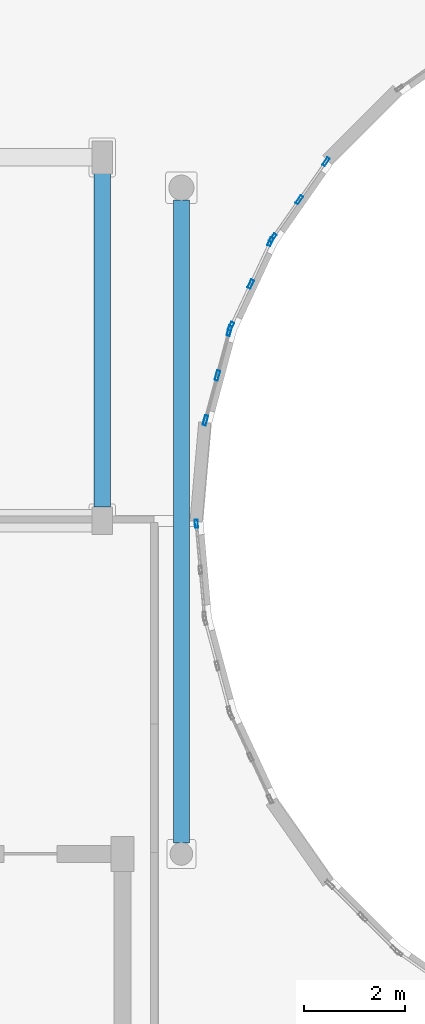
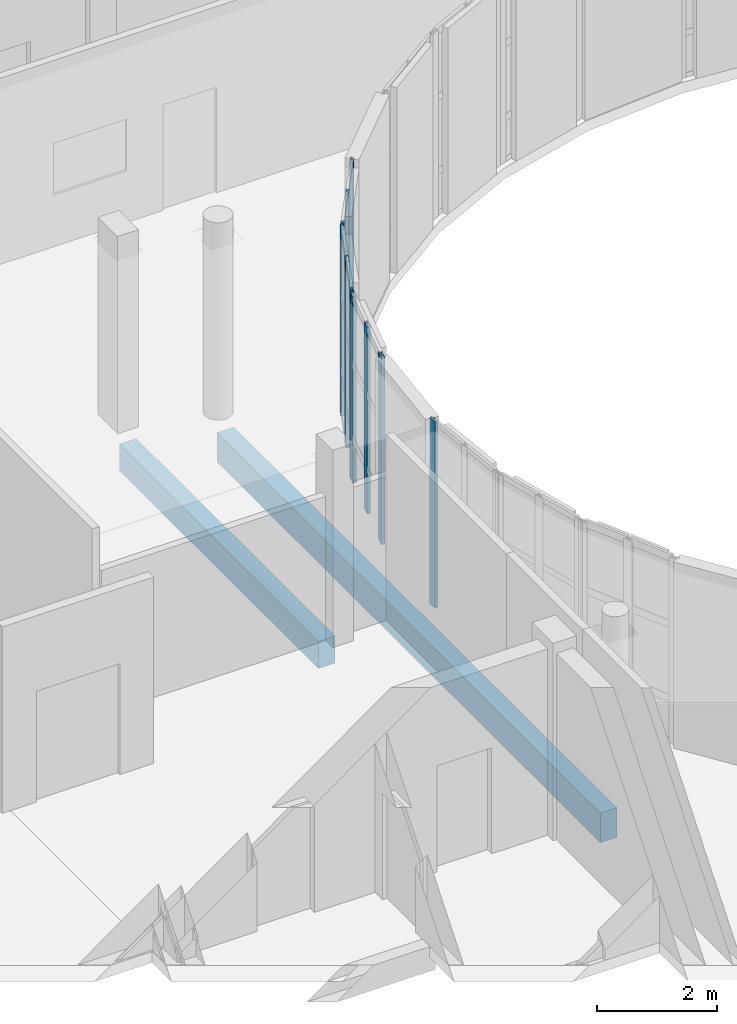
# One storey, part 24 of 105: 10 members, 2 beams, 4 elements without a shape of their own.
"""IFC4 building model written with IfcOpenShell, lengths in metres."""

from ifc_helpers import new_model, si_unit, direction, frame, origin, origin_2d, place, context, subcontext, project, spatial, rectangle, hollow_rectangle, extrude, material, layer, layer_set, material_profile, profile_set, type_object, element, aggregate, save


model = new_model("IFC4")

# Units and contexts
model_context = context("Model", 3, precision=1e-05, world=origin(), true_north=direction((0.0, 1.0)))
body_context = subcontext(model_context, "Body", "Model", "MODEL_VIEW")
ifc_project = project(units=[si_unit("LENGTHUNIT", "METRE"), si_unit("AREAUNIT", "SQUARE_METRE"), si_unit("VOLUMEUNIT", "CUBIC_METRE"), si_unit("PLANEANGLEUNIT", "RADIAN"), si_unit("MASSUNIT", "GRAM", prefix="KILO")], contexts=[model_context])

# Site, building, storey
site_placement = place(None, origin())
site = spatial("IfcSite", under=ifc_project, at=site_placement, CompositionType="ELEMENT")
building_placement = place(site_placement, origin())
building = spatial("IfcBuilding", under=site, at=building_placement, Name="Kelanivale Promenade Academy", CompositionType="ELEMENT")
storey_placement = place(building_placement, frame((0.0, 0.0, 4.199951171875)))
storey = spatial("IfcBuildingStorey", under=building, at=storey_placement, Name="L01", CompositionType="ELEMENT", Elevation=4.199951171875)

# Curtain wall, member
ifc_material_1 = material(Name="Bronze anodised aluminium and solar-control low-E glass", Category="aluminium")
ifc_layer_1 = layer(ifc_material_1, 0.179931640625)
ifc_layer_set_1 = layer_set([ifc_layer_1], Name="Bronze anodised aluminium and solar-control low-E glass")
curtain_wall_type_1 = type_object("IfcCurtainWallType", Name="CW-17 Curtain Wall 1950mm Module", PredefinedType="USERDEFINED", material=ifc_layer_set_1)
curtain_wall_1_placement = place(storey_placement, origin())
curtain_wall_1 = element("IfcCurtainWall", 1, at=curtain_wall_1_placement, inside=storey, type_object=curtain_wall_type_1, Name="L01 courtyard curtain wall CW-17", ObjectType="COURTYARD SCREEN GLAZING", PredefinedType="USERDEFINED")
ifc_material_2 = material(Name="Bronze anodised aluminium EN AW-6063 T6", Category="aluminium")
ifc_material_profile_1 = material_profile(ifc_material_2, hollow_rectangle(XDim=0.06005859375, YDim=0.159912109375, WallThickness=0.00390625, at=origin_2d()), Name="ALU 60x160x4.0")
ifc_profile_set_1 = profile_set([ifc_material_profile_1], Name="Bronze anodised aluminium EN AW-6063 T6")
member_type_1 = type_object("IfcMemberType", Name="CWM-01 ALU 60x160x4.0", PredefinedType="MULLION", material=ifc_profile_set_1)
member_1_placement = place(storey_placement, frame((52.2646484375, 56.7431640625, 0.0), z_axis=(0.0, 0.0, 1.0), x_axis=(0.996185153601, 0.087264768066, 0.0)))
member_1 = element("IfcMember", 2, at=member_1_placement, type_object=member_type_1, Name="CW-17 mullion 1", PredefinedType="MULLION", context=body_context, shape_type="SweptSolid", body=[
    extrude(hollow_rectangle(XDim=0.06005859375, YDim=0.159912109375, WallThickness=0.00390625, at=origin_2d()), origin(), (0.0, 0.0, 1.0), 3.780029296875),
])
aggregate(curtain_wall_1, [member_1])

# Curtain wall, members
ifc_layer_2 = layer(ifc_material_1, 0.179931640625)
ifc_layer_set_2 = layer_set([ifc_layer_2], Name="Bronze anodised aluminium and solar-control low-E glass")
curtain_wall_type_2 = type_object("IfcCurtainWallType", Name="CW-14 Curtain Wall 1500mm Module", PredefinedType="USERDEFINED", material=ifc_layer_set_2)
curtain_wall_2_placement = place(storey_placement, origin())
curtain_wall_2 = element("IfcCurtainWall", 3, at=curtain_wall_2_placement, inside=storey, type_object=curtain_wall_type_2, Name="L01 courtyard curtain wall CW-14", ObjectType="COURTYARD SCREEN GLAZING", PredefinedType="USERDEFINED")
ifc_material_profile_2 = material_profile(ifc_material_2, hollow_rectangle(XDim=0.06005859375, YDim=0.179931640625, WallThickness=0.00390625, at=origin_2d()), Name="ALU 60x180x4.0")
ifc_profile_set_2 = profile_set([ifc_material_profile_2], Name="Bronze anodised aluminium EN AW-6063 T6")
member_type_2 = type_object("IfcMemberType", Name="CWM-02 ALU 60x180x4.0", PredefinedType="MULLION", material=ifc_profile_set_2)
member_2_placement = place(storey_placement, frame((54.832763671875, 63.914306640625, 0.0), z_axis=(0.0, 0.0, 1.0), x_axis=(0.819305982099, -0.573356527561, 0.0)))
member_2 = element("IfcMember", 4, at=member_2_placement, type_object=member_type_2, Name="CW-14 mullion 1", PredefinedType="MULLION", context=body_context, shape_type="SweptSolid", body=[
    extrude(hollow_rectangle(XDim=0.06005859375, YDim=0.179931640625, WallThickness=0.00390625, at=origin_2d()), origin(), (0.0, 0.0, 1.0), 3.780029296875),
])
member_3_placement = place(storey_placement, frame((54.304443359375, 63.159423828125, 0.0), z_axis=(0.0, 0.0, 1.0), x_axis=(0.819305982099, -0.573356527561, 0.0)))
member_3 = element("IfcMember", 5, at=member_3_placement, type_object=member_type_2, Name="CW-14 mullion 2", PredefinedType="MULLION", context=body_context, shape_type="SweptSolid", body=[
    extrude(hollow_rectangle(XDim=0.06005859375, YDim=0.179931640625, WallThickness=0.00390625, at=origin_2d()), origin(), (0.0, 0.0, 1.0), 3.780029296875),
])
member_4_placement = place(storey_placement, frame((53.776123046875, 62.404541015625, 0.0), z_axis=(0.0, 0.0, 1.0), x_axis=(0.819305982099, -0.573356527561, 0.0)))
member_4 = element("IfcMember", 6, at=member_4_placement, type_object=member_type_2, Name="CW-14 mullion 3", PredefinedType="MULLION", context=body_context, shape_type="SweptSolid", body=[
    extrude(hollow_rectangle(XDim=0.06005859375, YDim=0.179931640625, WallThickness=0.00390625, at=origin_2d()), origin(), (0.0, 0.0, 1.0), 3.780029296875),
])
aggregate(curtain_wall_2, [member_2, member_3, member_4])

ifc_layer_3 = layer(ifc_material_1, 0.159912109375)
ifc_layer_set_3 = layer_set([ifc_layer_3], Name="Bronze anodised aluminium and solar-control low-E glass")
curtain_wall_type_3 = type_object("IfcCurtainWallType", Name="CW-15 Curtain Wall 1650mm Module", PredefinedType="USERDEFINED", material=ifc_layer_set_3)
curtain_wall_3_placement = place(storey_placement, origin())
curtain_wall_3 = element("IfcCurtainWall", 7, at=curtain_wall_3_placement, inside=storey, type_object=curtain_wall_type_3, Name="L01 courtyard curtain wall CW-15", ObjectType="COURTYARD SCREEN GLAZING", PredefinedType="USERDEFINED")
ifc_material_profile_3 = material_profile(ifc_material_2, hollow_rectangle(XDim=0.06494140625, YDim=0.175048828125, WallThickness=0.00390625, at=origin_2d()), Name="ALU 65x175x4.0")
ifc_profile_set_3 = profile_set([ifc_material_profile_3], Name="Bronze anodised aluminium EN AW-6063 T6")
member_type_3 = type_object("IfcMemberType", Name="CWM-03 ALU 65x175x4.0", PredefinedType="MULLION", material=ifc_profile_set_3)
member_5_placement = place(storey_placement, frame((53.733154296875, 62.32958984375, 0.0), z_axis=(0.0, 0.0, 1.0), x_axis=(0.906196460032, -0.422856921222, 0.0)))
member_5 = element("IfcMember", 8, at=member_5_placement, type_object=member_type_3, Name="CW-15 mullion 1", PredefinedType="MULLION", context=body_context, shape_type="SweptSolid", body=[
    extrude(hollow_rectangle(XDim=0.06494140625, YDim=0.175048828125, WallThickness=0.00390625, at=origin_2d()), origin(), (0.0, 0.0, 1.0), 3.780029296875),
])
member_6_placement = place(storey_placement, frame((53.341552734375, 61.489990234375, 0.0), z_axis=(0.0, 0.0, 1.0), x_axis=(0.906196460032, -0.422856921222, 0.0)))
member_6 = element("IfcMember", 9, at=member_6_placement, type_object=member_type_3, Name="CW-15 mullion 2", PredefinedType="MULLION", context=body_context, shape_type="SweptSolid", body=[
    extrude(hollow_rectangle(XDim=0.06494140625, YDim=0.175048828125, WallThickness=0.00390625, at=origin_2d()), origin(), (0.0, 0.0, 1.0), 3.780029296875),
])
member_7_placement = place(storey_placement, frame((52.94970703125, 60.650390625, 0.0), z_axis=(0.0, 0.0, 1.0), x_axis=(0.906196460032, -0.422856921222, 0.0)))
member_7 = element("IfcMember", 10, at=member_7_placement, type_object=member_type_3, Name="CW-15 mullion 3", PredefinedType="MULLION", context=body_context, shape_type="SweptSolid", body=[
    extrude(hollow_rectangle(XDim=0.06494140625, YDim=0.175048828125, WallThickness=0.00390625, at=origin_2d()), origin(), (0.0, 0.0, 1.0), 3.780029296875),
])
aggregate(curtain_wall_3, [member_5, member_6, member_7])

ifc_layer_4 = layer(ifc_material_1, 0.169921875)
ifc_layer_set_4 = layer_set([ifc_layer_4], Name="Bronze anodised aluminium and solar-control low-E glass")
curtain_wall_type_4 = type_object("IfcCurtainWallType", Name="CW-16 Curtain Wall 1800mm Module", PredefinedType="USERDEFINED", material=ifc_layer_set_4)
curtain_wall_4_placement = place(storey_placement, origin())
curtain_wall_4 = element("IfcCurtainWall", 11, at=curtain_wall_4_placement, inside=storey, type_object=curtain_wall_type_4, Name="L01 courtyard curtain wall CW-16", ObjectType="COURTYARD SCREEN GLAZING", PredefinedType="USERDEFINED")
ifc_material_profile_4 = material_profile(ifc_material_2, hollow_rectangle(XDim=0.06494140625, YDim=0.199951171875, WallThickness=0.00439453125, at=origin_2d()), Name="ALU 65x200x4.5")
ifc_profile_set_4 = profile_set([ifc_material_profile_4], Name="Bronze anodised aluminium EN AW-6063 T6")
member_type_4 = type_object("IfcMemberType", Name="CWM-04 ALU 65x200x4.5", PredefinedType="MULLION", material=ifc_profile_set_4)
member_8_placement = place(storey_placement, frame((52.919677734375, 60.566650390625, 0.0), z_axis=(0.0, 0.0, 1.0), x_axis=(0.965990259056, -0.258578458902, 0.0)))
member_8 = element("IfcMember", 12, at=member_8_placement, type_object=member_type_4, Name="CW-16 mullion 1", PredefinedType="MULLION", context=body_context, shape_type="SweptSolid", body=[
    extrude(hollow_rectangle(XDim=0.06494140625, YDim=0.199951171875, WallThickness=0.00439453125, at=origin_2d()), origin(), (0.0, 0.0, 1.0), 3.780029296875),
])
member_9_placement = place(storey_placement, frame((52.681884765625, 59.678955078125, 0.0), z_axis=(0.0, 0.0, 1.0), x_axis=(0.965990259056, -0.258578458902, 0.0)))
member_9 = element("IfcMember", 13, at=member_9_placement, type_object=member_type_4, Name="CW-16 mullion 2", PredefinedType="MULLION", context=body_context, shape_type="SweptSolid", body=[
    extrude(hollow_rectangle(XDim=0.06494140625, YDim=0.199951171875, WallThickness=0.00439453125, at=origin_2d()), origin(), (0.0, 0.0, 1.0), 3.780029296875),
])
member_10_placement = place(storey_placement, frame((52.4443359375, 58.79150390625, 0.0), z_axis=(0.0, 0.0, 1.0), x_axis=(0.965990259056, -0.258578458902, 0.0)))
member_10 = element("IfcMember", 14, at=member_10_placement, type_object=member_type_4, Name="CW-16 mullion 3", PredefinedType="MULLION", context=body_context, shape_type="SweptSolid", body=[
    extrude(hollow_rectangle(XDim=0.06494140625, YDim=0.199951171875, WallThickness=0.00439453125, at=origin_2d()), origin(), (0.0, 0.0, 1.0), 3.780029296875),
])
aggregate(curtain_wall_4, [member_8, member_9, member_10])

# Beams
ifc_material_3 = material(Name="Concrete C35/45", Category="concrete")
ifc_material_profile_5 = material_profile(ifc_material_3, rectangle(XDim=0.320068359375, YDim=0.550048828125, at=origin_2d()), Name="RC-BM 320x550")
ifc_profile_set_5 = profile_set([ifc_material_profile_5], Name="Concrete C35/45")
beam_type_1 = type_object("IfcBeamType", Name="JS-04 RC-BM 320x550", PredefinedType="JOIST", material=ifc_profile_set_5)
beam_1_placement = place(storey_placement, frame((50.39990234375, 57.070068359375, -0.494873046875), z_axis=(0.0, 1.0, 0.0), x_axis=(-1.0, 0.0, 0.0)))
element("IfcBeam", 15, at=beam_1_placement, inside=storey, type_object=beam_type_1, Name="L01 beam JS-04", PredefinedType="JOIST", context=body_context, shape_type="SweptSolid", body=[
    extrude(rectangle(XDim=0.320068359375, YDim=0.550048828125, at=origin_2d()), origin(), (0.0, 0.0, 1.0), 6.60986328125),
])
ifc_material_profile_6 = material_profile(ifc_material_3, rectangle(XDim=0.320068359375, YDim=0.60009765625, at=origin_2d()), Name="RC-BM 320x600")
ifc_profile_set_6 = profile_set([ifc_material_profile_6], Name="Concrete C35/45")
beam_type_2 = type_object("IfcBeamType", Name="JS-05 RC-BM 320x600", PredefinedType="JOIST", material=ifc_profile_set_6)
beam_2_placement = place(storey_placement, frame((51.968017578125, 50.419921875, -0.52001953125), z_axis=(0.0, 1.0, 0.0), x_axis=(-1.0, 0.0, 0.0)))
element("IfcBeam", 16, at=beam_2_placement, inside=storey, type_object=beam_type_2, Name="L01 beam JS-05", PredefinedType="JOIST", context=body_context, shape_type="SweptSolid", body=[
    extrude(rectangle(XDim=0.320068359375, YDim=0.60009765625, at=origin_2d()), origin(), (0.0, 0.0, 1.0), 12.735107421875),
])

save(model, "model.ifc")
